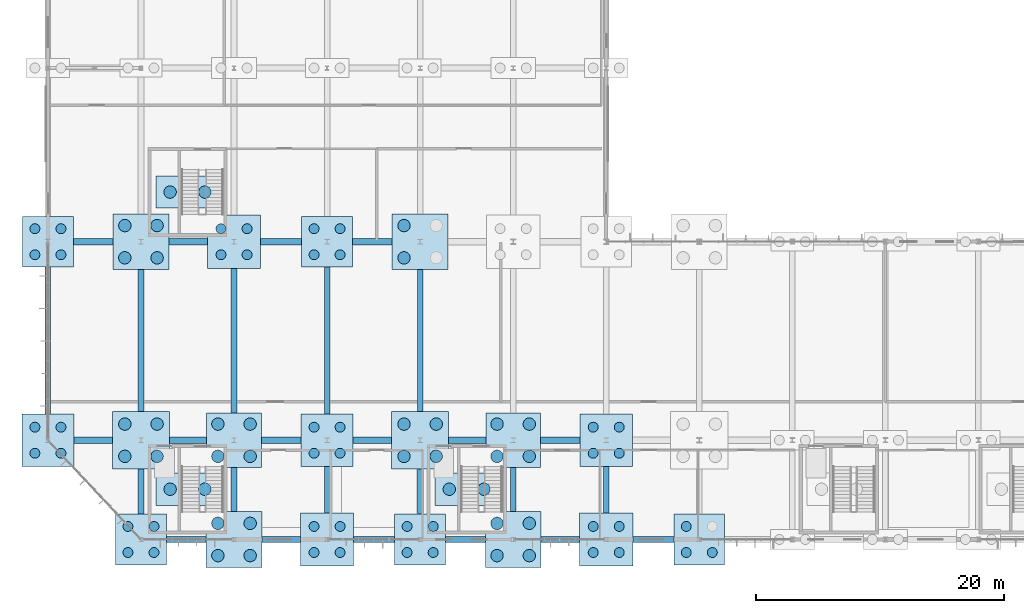
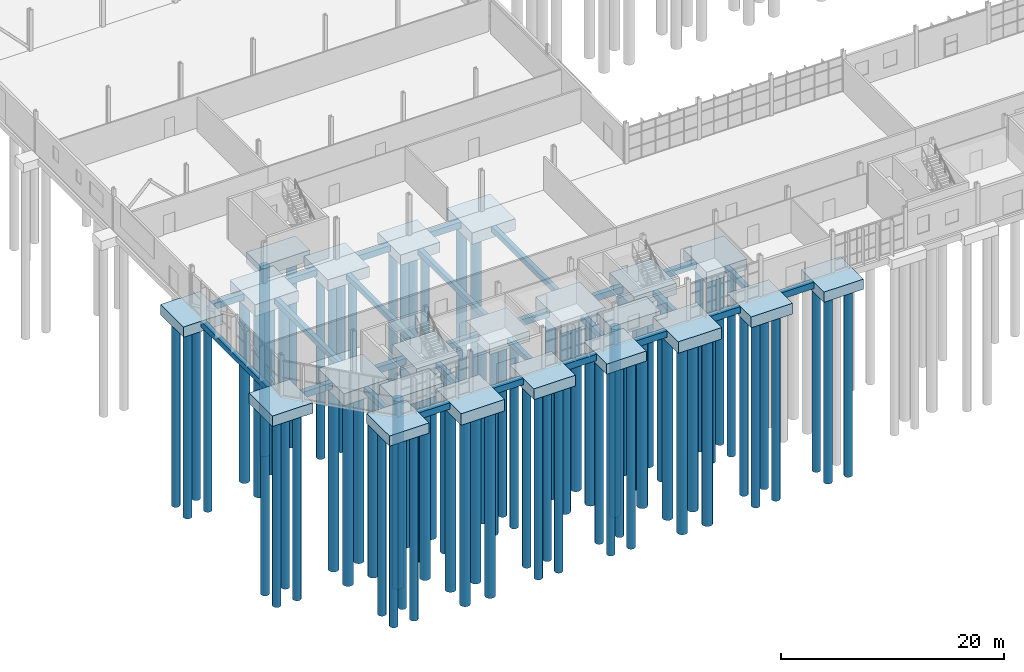
# One storey, part 1 of 136: 79 piles, 49 footings.
"""IFC4 building model written with IfcOpenShell, lengths in metres."""

from ifc_helpers import new_model, si_unit, direction, frame, origin, origin_2d, place, context, subcontext, project, spatial, rectangle, circle, extrude, material, material_profile, profile_set, type_object, element, save


model = new_model("IFC4")

# Units and contexts
model_context = context("Model", 3, precision=1e-05, world=origin(), true_north=direction((0.0, 1.0)))
body_context = subcontext(model_context, "Body", "Model", "MODEL_VIEW")
ifc_project = project(units=[si_unit("LENGTHUNIT", "METRE"), si_unit("AREAUNIT", "SQUARE_METRE"), si_unit("VOLUMEUNIT", "CUBIC_METRE"), si_unit("PLANEANGLEUNIT", "RADIAN"), si_unit("MASSUNIT", "GRAM", prefix="KILO")], contexts=[model_context])

# Site, building, storey
site_placement = place(None, origin())
site = spatial("IfcSite", under=ifc_project, at=site_placement, CompositionType="ELEMENT")
building_placement = place(site_placement, origin())
building = spatial("IfcBuilding", under=site, at=building_placement, Name="Solvenia Promenade Tram Depot", CompositionType="ELEMENT")
storey_placement = place(building_placement, origin())
storey = spatial("IfcBuildingStorey", under=building, at=storey_placement, Name="L00", CompositionType="ELEMENT", Elevation=0.0)

# Footings
ifc_material = material(Name="Concrete C28/35", Category="concrete")
footing_type_1 = type_object("IfcFootingType", Name="Cap-Core-5100x2600", PredefinedType="PAD_FOOTING", material=ifc_material)
for number, where, z_axis, x_axis, name in (
    (1, (11.25, 4.050048828125, -1.5), (0.0, 0.0, 1.0), (1.0, 0.0, 0.0), "Core Foundation Mat C1"),
    (2, (33.75, 4.050048828125, -1.5), (0.0, 0.0, 1.0), (1.0, 0.0, 0.0), "Core Foundation Mat C2"),
    (3, (11.25, 28.0, -1.5), (0.0, 0.0, 1.0), (1.0, 0.0, 0.0), "Core Foundation Mat C7"),
):
    element("IfcFooting", number, at=place(storey_placement, frame(where, z_axis=z_axis, x_axis=x_axis)), inside=storey, type_object=footing_type_1, Name=name, PredefinedType="PAD_FOOTING", context=body_context, shape_type="SweptSolid", body=[
        extrude(rectangle(XDim=5.10009765625, YDim=2.60009765625, at=origin_2d()), origin(), (0.0, 0.0, 1.0), 1.199951171875),
    ])
footing_type_2 = type_object("IfcFootingType", Name="Cap-PC4-4100", PredefinedType="PILE_CAP", material=ifc_material)
for number, where, z_axis, x_axis, name in (
    (4, (0.0, 24.0, -1.420166015625), (0.0, 0.0, 1.0), (1.0, 0.0, 0.0), "Pile Cap CAP-002"),
    (5, (7.5, 0.0, -1.420166015625), (0.0, 0.0, 1.0), (1.0, 0.0, 0.0), "Pile Cap CAP-008"),
    (6, (22.5, 24.0, -1.420166015625), (0.0, 0.0, 1.0), (1.0, 0.0, 0.0), "Pile Cap CAP-026"),
    (7, (30.0, 0.0, -1.420166015625), (0.0, 0.0, 1.0), (1.0, 0.0, 0.0), "Pile Cap CAP-032"),
    (8, (52.5, 0.0, -1.420166015625), (0.0, 0.0, 1.0), (1.0, 0.0, 0.0), "Pile Cap CAP-056"),
):
    element("IfcFooting", number, at=place(storey_placement, frame(where, z_axis=z_axis, x_axis=x_axis)), inside=storey, type_object=footing_type_2, Name=name, PredefinedType="PILE_CAP", context=body_context, shape_type="SweptSolid", body=[
        extrude(rectangle(XDim=4.10009765625, YDim=4.10009765625, at=origin_2d()), origin(), (0.0, 0.0, 1.0), 1.1201171875),
    ])
footing_type_3 = type_object("IfcFootingType", Name="Cap-PC4-4200", PredefinedType="PILE_CAP", material=ifc_material)
for number, where, z_axis, x_axis, name in (
    (9, (0.0, 8.0, -1.449951171875), (0.0, 0.0, 1.0), (1.0, 0.0, 0.0), "Pile Cap CAP-001"),
    (10, (22.5, 8.0, -1.449951171875), (0.0, 0.0, 1.0), (1.0, 0.0, 0.0), "Pile Cap CAP-025"),
    (11, (45.0, 8.0, -1.449951171875), (0.0, 0.0, 1.0), (1.0, 0.0, 0.0), "Pile Cap CAP-049"),
):
    element("IfcFooting", number, at=place(storey_placement, frame(where, z_axis=z_axis, x_axis=x_axis)), inside=storey, type_object=footing_type_3, Name=name, PredefinedType="PILE_CAP", context=body_context, shape_type="SweptSolid", body=[
        extrude(rectangle(XDim=4.199951171875, YDim=4.199951171875, at=origin_2d()), origin(), (0.0, 0.0, 1.0), 1.14990234375),
    ])
footing_type_4 = type_object("IfcFootingType", Name="Cap-PC4-4300", PredefinedType="PILE_CAP", material=ifc_material)
for number, where, z_axis, x_axis, name in (
    (12, (15.0, 24.0, -1.47998046875), (0.0, 0.0, 1.0), (1.0, 0.0, 0.0), "Pile Cap CAP-018"),
    (13, (22.5, 0.0, -1.47998046875), (0.0, 0.0, 1.0), (1.0, 0.0, 0.0), "Pile Cap CAP-024"),
    (14, (45.0, 0.0, -1.47998046875), (0.0, 0.0, 1.0), (1.0, 0.0, 0.0), "Pile Cap CAP-048"),
):
    element("IfcFooting", number, at=place(storey_placement, frame(where, z_axis=z_axis, x_axis=x_axis)), inside=storey, type_object=footing_type_4, Name=name, PredefinedType="PILE_CAP", context=body_context, shape_type="SweptSolid", body=[
        extrude(rectangle(XDim=4.300048828125, YDim=4.300048828125, at=origin_2d()), origin(), (0.0, 0.0, 1.0), 1.179931640625),
    ])
footing_type_5 = type_object("IfcFootingType", Name="Cap-PC4-4400", PredefinedType="PILE_CAP", material=ifc_material)
for number, where, z_axis, x_axis, name in (
    (15, (15.0, 8.0, -1.52001953125), (0.0, 0.0, 1.0), (1.0, 0.0, 0.0), "Pile Cap CAP-017"),
    (16, (37.5, 8.0, -1.52001953125), (0.0, 0.0, 1.0), (1.0, 0.0, 0.0), "Pile Cap CAP-041"),
):
    element("IfcFooting", number, at=place(storey_placement, frame(where, z_axis=z_axis, x_axis=x_axis)), inside=storey, type_object=footing_type_5, Name=name, PredefinedType="PILE_CAP", context=body_context, shape_type="SweptSolid", body=[
        extrude(rectangle(XDim=4.39990234375, YDim=4.39990234375, at=origin_2d()), origin(), (0.0, 0.0, 1.0), 1.219970703125),
    ])
footing_type_6 = type_object("IfcFootingType", Name="Cap-PC4-4500", PredefinedType="PILE_CAP", material=ifc_material)
for number, where, z_axis, x_axis, name in (
    (17, (7.5, 24.0, -1.56005859375), (0.0, 0.0, 1.0), (1.0, 0.0, 0.0), "Pile Cap CAP-010"),
    (18, (15.0, 0.0, -1.56005859375), (0.0, 0.0, 1.0), (1.0, 0.0, 0.0), "Pile Cap CAP-016"),
    (19, (30.0, 24.0, -1.56005859375), (0.0, 0.0, 1.0), (1.0, 0.0, 0.0), "Pile Cap CAP-034"),
    (20, (37.5, 0.0, -1.56005859375), (0.0, 0.0, 1.0), (1.0, 0.0, 0.0), "Pile Cap CAP-040"),
):
    element("IfcFooting", number, at=place(storey_placement, frame(where, z_axis=z_axis, x_axis=x_axis)), inside=storey, type_object=footing_type_6, Name=name, PredefinedType="PILE_CAP", context=body_context, shape_type="SweptSolid", body=[
        extrude(rectangle(XDim=4.5, YDim=4.5, at=origin_2d()), origin(), (0.0, 0.0, 1.0), 1.260009765625),
    ])
footing_type_7 = type_object("IfcFootingType", Name="Cap-PC4-4600", PredefinedType="PILE_CAP", material=ifc_material)
for number, where, z_axis, x_axis, name in (
    (21, (7.5, 8.0, -1.60009765625), (0.0, 0.0, 1.0), (1.0, 0.0, 0.0), "Pile Cap CAP-009"),
    (22, (30.0, 8.0, -1.60009765625), (0.0, 0.0, 1.0), (1.0, 0.0, 0.0), "Pile Cap CAP-033"),
):
    element("IfcFooting", number, at=place(storey_placement, frame(where, z_axis=z_axis, x_axis=x_axis)), inside=storey, type_object=footing_type_7, Name=name, PredefinedType="PILE_CAP", context=body_context, shape_type="SweptSolid", body=[
        extrude(rectangle(XDim=4.60009765625, YDim=4.60009765625, at=origin_2d()), origin(), (0.0, 0.0, 1.0), 1.300048828125),
    ])

# Piles
ifc_material_profile_1 = material_profile(ifc_material, circle(Radius=0.5, at=origin_2d()), Name="D1000", Category="concrete")
ifc_profile_set_1 = profile_set([ifc_material_profile_1], Name="Concrete C28/35")
pile_type_1 = type_object("IfcPileType", Name="Pile-D1000", PredefinedType="BORED", material=ifc_profile_set_1)
for number, where, z_axis, x_axis, name in (
    (23, (6.199951171875, 6.699951171875, -1.5), (0.0, 0.0, -1.0), (1.0, 0.0, 0.0), "Bored Pile PILE-009-1"),
    (24, (6.199951171875, 9.300048828125, -1.5), (0.0, 0.0, -1.0), (1.0, 0.0, 0.0), "Bored Pile PILE-009-2"),
    (25, (8.800048828125, 6.699951171875, -1.5), (0.0, 0.0, -1.0), (1.0, 0.0, 0.0), "Bored Pile PILE-009-3"),
    (26, (8.800048828125, 9.300048828125, -1.5), (0.0, 0.0, -1.0), (1.0, 0.0, 0.0), "Bored Pile PILE-009-4"),
):
    element("IfcPile", number, at=place(storey_placement, frame(where, z_axis=z_axis, x_axis=x_axis)), inside=storey, type_object=pile_type_1, Name=name, PredefinedType="BORED", context=body_context, shape_type="SweptSolid", body=[
        extrude(circle(Radius=0.5, at=origin_2d()), origin(), (0.0, 0.0, 1.0), 20.5),
    ])
for number, where, z_axis, x_axis, name in (
    (27, (6.199951171875, 22.699951171875, -1.4599609375), (0.0, 0.0, -1.0), (1.0, 0.0, 0.0), "Bored Pile PILE-010-1"),
    (28, (6.199951171875, 25.300048828125, -1.4599609375), (0.0, 0.0, -1.0), (1.0, 0.0, 0.0), "Bored Pile PILE-010-2"),
    (29, (8.800048828125, 22.699951171875, -1.4599609375), (0.0, 0.0, -1.0), (1.0, 0.0, 0.0), "Bored Pile PILE-010-3"),
    (30, (8.800048828125, 25.300048828125, -1.4599609375), (0.0, 0.0, -1.0), (1.0, 0.0, 0.0), "Bored Pile PILE-010-4"),
    (31, (13.699951171875, -1.300048828125, -1.4599609375), (0.0, 0.0, -1.0), (1.0, 0.0, 0.0), "Bored Pile PILE-016-1"),
    (32, (13.699951171875, 1.300048828125, -1.4599609375), (0.0, 0.0, -1.0), (1.0, 0.0, 0.0), "Bored Pile PILE-016-2"),
    (33, (16.300048828125, -1.300048828125, -1.4599609375), (0.0, 0.0, -1.0), (1.0, 0.0, 0.0), "Bored Pile PILE-016-3"),
    (34, (16.300048828125, 1.300048828125, -1.4599609375), (0.0, 0.0, -1.0), (1.0, 0.0, 0.0), "Bored Pile PILE-016-4"),
):
    element("IfcPile", number, at=place(storey_placement, frame(where, z_axis=z_axis, x_axis=x_axis)), inside=storey, type_object=pile_type_1, Name=name, PredefinedType="BORED", context=body_context, shape_type="SweptSolid", body=[
        extrude(circle(Radius=0.5, at=origin_2d()), origin(), (0.0, 0.0, 1.0), 20.5400390625),
    ])
for number, where, z_axis, x_axis, name in (
    (35, (13.699951171875, 6.699951171875, -1.419921875), (0.0, 0.0, -1.0), (1.0, 0.0, 0.0), "Bored Pile PILE-017-1"),
    (36, (13.699951171875, 9.300048828125, -1.419921875), (0.0, 0.0, -1.0), (1.0, 0.0, 0.0), "Bored Pile PILE-017-2"),
    (37, (16.300048828125, 6.699951171875, -1.419921875), (0.0, 0.0, -1.0), (1.0, 0.0, 0.0), "Bored Pile PILE-017-3"),
    (38, (16.300048828125, 9.300048828125, -1.419921875), (0.0, 0.0, -1.0), (1.0, 0.0, 0.0), "Bored Pile PILE-017-4"),
):
    element("IfcPile", number, at=place(storey_placement, frame(where, z_axis=z_axis, x_axis=x_axis)), inside=storey, type_object=pile_type_1, Name=name, PredefinedType="BORED", context=body_context, shape_type="SweptSolid", body=[
        extrude(circle(Radius=0.5, at=origin_2d()), origin(), (0.0, 0.0, 1.0), 20.580078125),
    ])
for number, where, z_axis, x_axis, name in (
    (39, (28.699951171875, 6.699951171875, -1.5), (0.0, 0.0, -1.0), (1.0, 0.0, 0.0), "Bored Pile PILE-033-1"),
    (40, (28.699951171875, 9.300048828125, -1.5), (0.0, 0.0, -1.0), (1.0, 0.0, 0.0), "Bored Pile PILE-033-2"),
    (41, (31.300048828125, 6.699951171875, -1.5), (0.0, 0.0, -1.0), (1.0, 0.0, 0.0), "Bored Pile PILE-033-3"),
    (42, (31.300048828125, 9.300048828125, -1.5), (0.0, 0.0, -1.0), (1.0, 0.0, 0.0), "Bored Pile PILE-033-4"),
):
    element("IfcPile", number, at=place(storey_placement, frame(where, z_axis=z_axis, x_axis=x_axis)), inside=storey, type_object=pile_type_1, Name=name, PredefinedType="BORED", context=body_context, shape_type="SweptSolid", body=[
        extrude(circle(Radius=0.5, at=origin_2d()), origin(), (0.0, 0.0, 1.0), 20.5),
    ])
for number, where, z_axis, x_axis, name in (
    (43, (28.699951171875, 22.699951171875, -1.4599609375), (0.0, 0.0, -1.0), (1.0, 0.0, 0.0), "Bored Pile PILE-034-1"),
    (44, (28.699951171875, 25.300048828125, -1.4599609375), (0.0, 0.0, -1.0), (1.0, 0.0, 0.0), "Bored Pile PILE-034-2"),
    (45, (36.199951171875, -1.300048828125, -1.4599609375), (0.0, 0.0, -1.0), (1.0, 0.0, 0.0), "Bored Pile PILE-040-1"),
    (46, (36.199951171875, 1.300048828125, -1.4599609375), (0.0, 0.0, -1.0), (1.0, 0.0, 0.0), "Bored Pile PILE-040-2"),
    (47, (38.800048828125, -1.300048828125, -1.4599609375), (0.0, 0.0, -1.0), (1.0, 0.0, 0.0), "Bored Pile PILE-040-3"),
    (48, (38.800048828125, 1.300048828125, -1.4599609375), (0.0, 0.0, -1.0), (1.0, 0.0, 0.0), "Bored Pile PILE-040-4"),
):
    element("IfcPile", number, at=place(storey_placement, frame(where, z_axis=z_axis, x_axis=x_axis)), inside=storey, type_object=pile_type_1, Name=name, PredefinedType="BORED", context=body_context, shape_type="SweptSolid", body=[
        extrude(circle(Radius=0.5, at=origin_2d()), origin(), (0.0, 0.0, 1.0), 20.5400390625),
    ])
for number, where, z_axis, x_axis, name in (
    (49, (36.199951171875, 6.699951171875, -1.419921875), (0.0, 0.0, -1.0), (1.0, 0.0, 0.0), "Bored Pile PILE-041-1"),
    (50, (36.199951171875, 9.300048828125, -1.419921875), (0.0, 0.0, -1.0), (1.0, 0.0, 0.0), "Bored Pile PILE-041-2"),
    (51, (38.800048828125, 6.699951171875, -1.419921875), (0.0, 0.0, -1.0), (1.0, 0.0, 0.0), "Bored Pile PILE-041-3"),
    (52, (38.800048828125, 9.300048828125, -1.419921875), (0.0, 0.0, -1.0), (1.0, 0.0, 0.0), "Bored Pile PILE-041-4"),
):
    element("IfcPile", number, at=place(storey_placement, frame(where, z_axis=z_axis, x_axis=x_axis)), inside=storey, type_object=pile_type_1, Name=name, PredefinedType="BORED", context=body_context, shape_type="SweptSolid", body=[
        extrude(circle(Radius=0.5, at=origin_2d()), origin(), (0.0, 0.0, 1.0), 20.580078125),
    ])
for number, where, z_axis, x_axis, name in (
    (53, (9.85009765625, 4.050048828125, -1.39990234375), (0.0, 0.0, -1.0), (1.0, 0.0, 0.0), "Core Bored Pile PILE-CORE-01-1"),
    (54, (12.64990234375, 4.050048828125, -1.39990234375), (0.0, 0.0, -1.0), (1.0, 0.0, 0.0), "Core Bored Pile PILE-CORE-01-2"),
    (55, (32.35009765625, 4.050048828125, -1.39990234375), (0.0, 0.0, -1.0), (1.0, 0.0, 0.0), "Core Bored Pile PILE-CORE-02-1"),
    (56, (35.14990234375, 4.050048828125, -1.39990234375), (0.0, 0.0, -1.0), (1.0, 0.0, 0.0), "Core Bored Pile PILE-CORE-02-2"),
    (57, (9.85009765625, 28.0, -1.39990234375), (0.0, 0.0, -1.0), (1.0, 0.0, 0.0), "Core Bored Pile PILE-CORE-07-1"),
    (58, (12.64990234375, 28.0, -1.39990234375), (0.0, 0.0, -1.0), (1.0, 0.0, 0.0), "Core Bored Pile PILE-CORE-07-2"),
):
    element("IfcPile", number, at=place(storey_placement, frame(where, z_axis=z_axis, x_axis=x_axis)), inside=storey, type_object=pile_type_1, Name=name, PredefinedType="BORED", context=body_context, shape_type="SweptSolid", body=[
        extrude(circle(Radius=0.5, at=origin_2d()), origin(), (0.0, 0.0, 1.0), 20.60009765625),
    ])
ifc_material_profile_2 = material_profile(ifc_material, circle(Radius=0.39990234375, at=origin_2d()), Name="D800", Category="concrete")
ifc_profile_set_2 = profile_set([ifc_material_profile_2], Name="Concrete C28/35")
pile_type_2 = type_object("IfcPileType", Name="Pile-D800", PredefinedType="BORED", material=ifc_profile_set_2)
for number, where, z_axis, x_axis, name in (
    (59, (-1.050048828125, 6.949951171875, -1.35009765625), (0.0, 0.0, -1.0), (1.0, 0.0, 0.0), "Bored Pile PILE-001-1"),
    (60, (-1.050048828125, 9.050048828125, -1.35009765625), (0.0, 0.0, -1.0), (1.0, 0.0, 0.0), "Bored Pile PILE-001-2"),
    (61, (1.050048828125, 6.949951171875, -1.35009765625), (0.0, 0.0, -1.0), (1.0, 0.0, 0.0), "Bored Pile PILE-001-3"),
    (62, (1.050048828125, 9.050048828125, -1.35009765625), (0.0, 0.0, -1.0), (1.0, 0.0, 0.0), "Bored Pile PILE-001-4"),
):
    element("IfcPile", number, at=place(storey_placement, frame(where, z_axis=z_axis, x_axis=x_axis)), inside=storey, type_object=pile_type_2, Name=name, PredefinedType="BORED", context=body_context, shape_type="SweptSolid", body=[
        extrude(circle(Radius=0.39990234375, at=origin_2d()), origin(), (0.0, 0.0, 1.0), 20.64990234375),
    ])
for number, where, z_axis, x_axis, name in (
    (63, (-1.050048828125, 22.949951171875, -1.320068359375), (0.0, 0.0, -1.0), (1.0, 0.0, 0.0), "Bored Pile PILE-002-1"),
    (64, (-1.050048828125, 25.050048828125, -1.320068359375), (0.0, 0.0, -1.0), (1.0, 0.0, 0.0), "Bored Pile PILE-002-2"),
    (65, (1.050048828125, 22.949951171875, -1.320068359375), (0.0, 0.0, -1.0), (1.0, 0.0, 0.0), "Bored Pile PILE-002-3"),
    (66, (1.050048828125, 25.050048828125, -1.320068359375), (0.0, 0.0, -1.0), (1.0, 0.0, 0.0), "Bored Pile PILE-002-4"),
    (67, (6.449951171875, -1.050048828125, -1.320068359375), (0.0, 0.0, -1.0), (1.0, 0.0, 0.0), "Bored Pile PILE-008-1"),
    (68, (6.449951171875, 1.050048828125, -1.320068359375), (0.0, 0.0, -1.0), (1.0, 0.0, 0.0), "Bored Pile PILE-008-2"),
    (69, (8.550048828125, -1.050048828125, -1.320068359375), (0.0, 0.0, -1.0), (1.0, 0.0, 0.0), "Bored Pile PILE-008-3"),
    (70, (8.550048828125, 1.050048828125, -1.320068359375), (0.0, 0.0, -1.0), (1.0, 0.0, 0.0), "Bored Pile PILE-008-4"),
):
    element("IfcPile", number, at=place(storey_placement, frame(where, z_axis=z_axis, x_axis=x_axis)), inside=storey, type_object=pile_type_2, Name=name, PredefinedType="BORED", context=body_context, shape_type="SweptSolid", body=[
        extrude(circle(Radius=0.39990234375, at=origin_2d()), origin(), (0.0, 0.0, 1.0), 20.679931640625),
    ])
for number, where, z_axis, x_axis, name in (
    (71, (13.949951171875, 22.949951171875, -1.3798828125), (0.0, 0.0, -1.0), (1.0, 0.0, 0.0), "Bored Pile PILE-018-1"),
    (72, (13.949951171875, 25.050048828125, -1.3798828125), (0.0, 0.0, -1.0), (1.0, 0.0, 0.0), "Bored Pile PILE-018-2"),
    (73, (16.050048828125, 22.949951171875, -1.3798828125), (0.0, 0.0, -1.0), (1.0, 0.0, 0.0), "Bored Pile PILE-018-3"),
    (74, (16.050048828125, 25.050048828125, -1.3798828125), (0.0, 0.0, -1.0), (1.0, 0.0, 0.0), "Bored Pile PILE-018-4"),
    (75, (21.449951171875, -1.050048828125, -1.3798828125), (0.0, 0.0, -1.0), (1.0, 0.0, 0.0), "Bored Pile PILE-024-1"),
    (76, (21.449951171875, 1.050048828125, -1.3798828125), (0.0, 0.0, -1.0), (1.0, 0.0, 0.0), "Bored Pile PILE-024-2"),
    (77, (23.550048828125, -1.050048828125, -1.3798828125), (0.0, 0.0, -1.0), (1.0, 0.0, 0.0), "Bored Pile PILE-024-3"),
    (78, (23.550048828125, 1.050048828125, -1.3798828125), (0.0, 0.0, -1.0), (1.0, 0.0, 0.0), "Bored Pile PILE-024-4"),
):
    element("IfcPile", number, at=place(storey_placement, frame(where, z_axis=z_axis, x_axis=x_axis)), inside=storey, type_object=pile_type_2, Name=name, PredefinedType="BORED", context=body_context, shape_type="SweptSolid", body=[
        extrude(circle(Radius=0.39990234375, at=origin_2d()), origin(), (0.0, 0.0, 1.0), 20.6201171875),
    ])
for number, where, z_axis, x_axis, name in (
    (79, (21.449951171875, 6.949951171875, -1.35009765625), (0.0, 0.0, -1.0), (1.0, 0.0, 0.0), "Bored Pile PILE-025-1"),
    (80, (21.449951171875, 9.050048828125, -1.35009765625), (0.0, 0.0, -1.0), (1.0, 0.0, 0.0), "Bored Pile PILE-025-2"),
    (81, (23.550048828125, 6.949951171875, -1.35009765625), (0.0, 0.0, -1.0), (1.0, 0.0, 0.0), "Bored Pile PILE-025-3"),
    (82, (23.550048828125, 9.050048828125, -1.35009765625), (0.0, 0.0, -1.0), (1.0, 0.0, 0.0), "Bored Pile PILE-025-4"),
):
    element("IfcPile", number, at=place(storey_placement, frame(where, z_axis=z_axis, x_axis=x_axis)), inside=storey, type_object=pile_type_2, Name=name, PredefinedType="BORED", context=body_context, shape_type="SweptSolid", body=[
        extrude(circle(Radius=0.39990234375, at=origin_2d()), origin(), (0.0, 0.0, 1.0), 20.64990234375),
    ])
for number, where, z_axis, x_axis, name in (
    (83, (21.449951171875, 22.949951171875, -1.320068359375), (0.0, 0.0, -1.0), (1.0, 0.0, 0.0), "Bored Pile PILE-026-1"),
    (84, (21.449951171875, 25.050048828125, -1.320068359375), (0.0, 0.0, -1.0), (1.0, 0.0, 0.0), "Bored Pile PILE-026-2"),
    (85, (23.550048828125, 22.949951171875, -1.320068359375), (0.0, 0.0, -1.0), (1.0, 0.0, 0.0), "Bored Pile PILE-026-3"),
    (86, (23.550048828125, 25.050048828125, -1.320068359375), (0.0, 0.0, -1.0), (1.0, 0.0, 0.0), "Bored Pile PILE-026-4"),
    (87, (28.949951171875, -1.050048828125, -1.320068359375), (0.0, 0.0, -1.0), (1.0, 0.0, 0.0), "Bored Pile PILE-032-1"),
    (88, (28.949951171875, 1.050048828125, -1.320068359375), (0.0, 0.0, -1.0), (1.0, 0.0, 0.0), "Bored Pile PILE-032-2"),
    (89, (31.050048828125, -1.050048828125, -1.320068359375), (0.0, 0.0, -1.0), (1.0, 0.0, 0.0), "Bored Pile PILE-032-3"),
    (90, (31.050048828125, 1.050048828125, -1.320068359375), (0.0, 0.0, -1.0), (1.0, 0.0, 0.0), "Bored Pile PILE-032-4"),
):
    element("IfcPile", number, at=place(storey_placement, frame(where, z_axis=z_axis, x_axis=x_axis)), inside=storey, type_object=pile_type_2, Name=name, PredefinedType="BORED", context=body_context, shape_type="SweptSolid", body=[
        extrude(circle(Radius=0.39990234375, at=origin_2d()), origin(), (0.0, 0.0, 1.0), 20.679931640625),
    ])
for number, where, z_axis, x_axis, name in (
    (91, (43.949951171875, -1.050048828125, -1.3798828125), (0.0, 0.0, -1.0), (1.0, 0.0, 0.0), "Bored Pile PILE-048-1"),
    (92, (43.949951171875, 1.050048828125, -1.3798828125), (0.0, 0.0, -1.0), (1.0, 0.0, 0.0), "Bored Pile PILE-048-2"),
    (93, (46.050048828125, -1.050048828125, -1.3798828125), (0.0, 0.0, -1.0), (1.0, 0.0, 0.0), "Bored Pile PILE-048-3"),
    (94, (46.050048828125, 1.050048828125, -1.3798828125), (0.0, 0.0, -1.0), (1.0, 0.0, 0.0), "Bored Pile PILE-048-4"),
):
    element("IfcPile", number, at=place(storey_placement, frame(where, z_axis=z_axis, x_axis=x_axis)), inside=storey, type_object=pile_type_2, Name=name, PredefinedType="BORED", context=body_context, shape_type="SweptSolid", body=[
        extrude(circle(Radius=0.39990234375, at=origin_2d()), origin(), (0.0, 0.0, 1.0), 20.6201171875),
    ])
for number, where, z_axis, x_axis, name in (
    (95, (43.949951171875, 6.949951171875, -1.35009765625), (0.0, 0.0, -1.0), (1.0, 0.0, 0.0), "Bored Pile PILE-049-1"),
    (96, (43.949951171875, 9.050048828125, -1.35009765625), (0.0, 0.0, -1.0), (1.0, 0.0, 0.0), "Bored Pile PILE-049-2"),
    (97, (46.050048828125, 6.949951171875, -1.35009765625), (0.0, 0.0, -1.0), (1.0, 0.0, 0.0), "Bored Pile PILE-049-3"),
    (98, (46.050048828125, 9.050048828125, -1.35009765625), (0.0, 0.0, -1.0), (1.0, 0.0, 0.0), "Bored Pile PILE-049-4"),
):
    element("IfcPile", number, at=place(storey_placement, frame(where, z_axis=z_axis, x_axis=x_axis)), inside=storey, type_object=pile_type_2, Name=name, PredefinedType="BORED", context=body_context, shape_type="SweptSolid", body=[
        extrude(circle(Radius=0.39990234375, at=origin_2d()), origin(), (0.0, 0.0, 1.0), 20.64990234375),
    ])
for number, where, z_axis, x_axis, name in (
    (99, (51.449951171875, -1.050048828125, -1.320068359375), (0.0, 0.0, -1.0), (1.0, 0.0, 0.0), "Bored Pile PILE-056-1"),
    (100, (51.449951171875, 1.050048828125, -1.320068359375), (0.0, 0.0, -1.0), (1.0, 0.0, 0.0), "Bored Pile PILE-056-2"),
    (101, (53.550048828125, -1.050048828125, -1.320068359375), (0.0, 0.0, -1.0), (1.0, 0.0, 0.0), "Bored Pile PILE-056-3"),
):
    element("IfcPile", number, at=place(storey_placement, frame(where, z_axis=z_axis, x_axis=x_axis)), inside=storey, type_object=pile_type_2, Name=name, PredefinedType="BORED", context=body_context, shape_type="SweptSolid", body=[
        extrude(circle(Radius=0.39990234375, at=origin_2d()), origin(), (0.0, 0.0, 1.0), 20.679931640625),
    ])

# Footings
footing_type_8 = type_object("IfcFootingType", Name="TieBeam-450x600", PredefinedType="FOOTING_BEAM", material=ifc_material)
footing_1_placement = place(storey_placement, frame((0.0, 16.02490234375, -0.900146484375), z_axis=(0.0, 0.0, 1.0), x_axis=(1.0, 0.0, 0.0)))
element("IfcFooting", 102, at=footing_1_placement, inside=storey, type_object=footing_type_8, Name="Seismic Tie Beam Y-138", PredefinedType="FOOTING_BEAM", context=body_context, shape_type="SweptSolid", body=[
    extrude(rectangle(XDim=0.449951171875, YDim=11.85009765625, at=origin_2d()), origin(), (0.0, 0.0, 1.0), 0.60009765625),
])
footing_2_placement = place(storey_placement, frame((7.5, 3.875, -0.900146484375), z_axis=(0.0, 0.0, 1.0), x_axis=(1.0, 0.0, 0.0)))
element("IfcFooting", 103, at=footing_2_placement, inside=storey, type_object=footing_type_8, Name="Seismic Tie Beam Y-143", PredefinedType="FOOTING_BEAM", context=body_context, shape_type="SweptSolid", body=[
    extrude(rectangle(XDim=0.449951171875, YDim=3.64990234375, at=origin_2d()), origin(), (0.0, 0.0, 1.0), 0.60009765625),
])
footing_3_placement = place(storey_placement, frame((7.5, 16.02490234375, -0.900146484375), z_axis=(0.0, 0.0, 1.0), x_axis=(1.0, 0.0, 0.0)))
element("IfcFooting", 104, at=footing_3_placement, inside=storey, type_object=footing_type_8, Name="Seismic Tie Beam Y-144", PredefinedType="FOOTING_BEAM", context=body_context, shape_type="SweptSolid", body=[
    extrude(rectangle(XDim=0.449951171875, YDim=11.449951171875, at=origin_2d()), origin(), (0.0, 0.0, 1.0), 0.60009765625),
])
footing_4_placement = place(storey_placement, frame((15.0, 4.02490234375, -0.900146484375), z_axis=(0.0, 0.0, 1.0), x_axis=(1.0, 0.0, 0.0)))
element("IfcFooting", 105, at=footing_4_placement, inside=storey, type_object=footing_type_8, Name="Seismic Tie Beam Y-149", PredefinedType="FOOTING_BEAM", context=body_context, shape_type="SweptSolid", body=[
    extrude(rectangle(XDim=0.449951171875, YDim=3.550048828125, at=origin_2d()), origin(), (0.0, 0.0, 1.0), 0.60009765625),
])
footing_5_placement = place(storey_placement, frame((15.0, 16.02490234375, -0.900146484375), z_axis=(0.0, 0.0, 1.0), x_axis=(1.0, 0.0, 0.0)))
element("IfcFooting", 106, at=footing_5_placement, inside=storey, type_object=footing_type_8, Name="Seismic Tie Beam Y-150", PredefinedType="FOOTING_BEAM", context=body_context, shape_type="SweptSolid", body=[
    extrude(rectangle(XDim=0.449951171875, YDim=11.64990234375, at=origin_2d()), origin(), (0.0, 0.0, 1.0), 0.60009765625),
])
footing_6_placement = place(storey_placement, frame((22.5, 4.02490234375, -0.900146484375), z_axis=(0.0, 0.0, 1.0), x_axis=(1.0, 0.0, 0.0)))
element("IfcFooting", 107, at=footing_6_placement, inside=storey, type_object=footing_type_8, Name="Seismic Tie Beam Y-155", PredefinedType="FOOTING_BEAM", context=body_context, shape_type="SweptSolid", body=[
    extrude(rectangle(XDim=0.449951171875, YDim=3.75, at=origin_2d()), origin(), (0.0, 0.0, 1.0), 0.60009765625),
])
footing_7_placement = place(storey_placement, frame((22.5, 16.02490234375, -0.900146484375), z_axis=(0.0, 0.0, 1.0), x_axis=(1.0, 0.0, 0.0)))
element("IfcFooting", 108, at=footing_7_placement, inside=storey, type_object=footing_type_8, Name="Seismic Tie Beam Y-156", PredefinedType="FOOTING_BEAM", context=body_context, shape_type="SweptSolid", body=[
    extrude(rectangle(XDim=0.449951171875, YDim=11.85009765625, at=origin_2d()), origin(), (0.0, 0.0, 1.0), 0.60009765625),
])
footing_8_placement = place(storey_placement, frame((30.0, 3.875, -0.900146484375), z_axis=(0.0, 0.0, 1.0), x_axis=(1.0, 0.0, 0.0)))
element("IfcFooting", 109, at=footing_8_placement, inside=storey, type_object=footing_type_8, Name="Seismic Tie Beam Y-161", PredefinedType="FOOTING_BEAM", context=body_context, shape_type="SweptSolid", body=[
    extrude(rectangle(XDim=0.449951171875, YDim=3.64990234375, at=origin_2d()), origin(), (0.0, 0.0, 1.0), 0.60009765625),
])
footing_9_placement = place(storey_placement, frame((30.0, 16.02490234375, -0.900146484375), z_axis=(0.0, 0.0, 1.0), x_axis=(1.0, 0.0, 0.0)))
element("IfcFooting", 110, at=footing_9_placement, inside=storey, type_object=footing_type_8, Name="Seismic Tie Beam Y-162", PredefinedType="FOOTING_BEAM", context=body_context, shape_type="SweptSolid", body=[
    extrude(rectangle(XDim=0.449951171875, YDim=11.449951171875, at=origin_2d()), origin(), (0.0, 0.0, 1.0), 0.60009765625),
])
footing_10_placement = place(storey_placement, frame((37.5, 4.02490234375, -0.900146484375), z_axis=(0.0, 0.0, 1.0), x_axis=(1.0, 0.0, 0.0)))
element("IfcFooting", 111, at=footing_10_placement, inside=storey, type_object=footing_type_8, Name="Seismic Tie Beam Y-167", PredefinedType="FOOTING_BEAM", context=body_context, shape_type="SweptSolid", body=[
    extrude(rectangle(XDim=0.449951171875, YDim=3.550048828125, at=origin_2d()), origin(), (0.0, 0.0, 1.0), 0.60009765625),
])
footing_11_placement = place(storey_placement, frame((45.0, 4.02490234375, -0.900146484375), z_axis=(0.0, 0.0, 1.0), x_axis=(1.0, 0.0, 0.0)))
element("IfcFooting", 112, at=footing_11_placement, inside=storey, type_object=footing_type_8, Name="Seismic Tie Beam Y-173", PredefinedType="FOOTING_BEAM", context=body_context, shape_type="SweptSolid", body=[
    extrude(rectangle(XDim=0.449951171875, YDim=3.75, at=origin_2d()), origin(), (0.0, 0.0, 1.0), 0.60009765625),
])
footing_type_9 = type_object("IfcFootingType", Name="TieBeam-500x700", PredefinedType="FOOTING_BEAM", material=ifc_material)
footing_12_placement = place(storey_placement, frame((11.14990234375, 0.0, -1.0), z_axis=(0.0, 0.0, 1.0), x_axis=(1.0, 0.0, 0.0)))
element("IfcFooting", 113, at=footing_12_placement, inside=storey, type_object=footing_type_9, Name="Seismic Tie Beam X-001", PredefinedType="FOOTING_BEAM", context=body_context, shape_type="SweptSolid", body=[
    extrude(rectangle(XDim=3.199951171875, YDim=0.5, at=origin_2d()), origin(), (0.0, 0.0, 1.0), 0.699951171875),
])
footing_13_placement = place(storey_placement, frame((18.800048828125, 0.0, -1.0), z_axis=(0.0, 0.0, 1.0), x_axis=(1.0, 0.0, 0.0)))
element("IfcFooting", 114, at=footing_13_placement, inside=storey, type_object=footing_type_9, Name="Seismic Tie Beam X-002", PredefinedType="FOOTING_BEAM", context=body_context, shape_type="SweptSolid", body=[
    extrude(rectangle(XDim=3.10009765625, YDim=0.5, at=origin_2d()), origin(), (0.0, 0.0, 1.0), 0.699951171875),
])
footing_14_placement = place(storey_placement, frame((26.300048828125, 0.0, -1.0), z_axis=(0.0, 0.0, 1.0), x_axis=(1.0, 0.0, 0.0)))
element("IfcFooting", 115, at=footing_14_placement, inside=storey, type_object=footing_type_9, Name="Seismic Tie Beam X-003", PredefinedType="FOOTING_BEAM", context=body_context, shape_type="SweptSolid", body=[
    extrude(rectangle(XDim=3.300048828125, YDim=0.5, at=origin_2d()), origin(), (0.0, 0.0, 1.0), 0.699951171875),
])
footing_15_placement = place(storey_placement, frame((33.64990234375, 0.0, -1.0), z_axis=(0.0, 0.0, 1.0), x_axis=(1.0, 0.0, 0.0)))
element("IfcFooting", 116, at=footing_15_placement, inside=storey, type_object=footing_type_9, Name="Seismic Tie Beam X-004", PredefinedType="FOOTING_BEAM", context=body_context, shape_type="SweptSolid", body=[
    extrude(rectangle(XDim=3.199951171875, YDim=0.5, at=origin_2d()), origin(), (0.0, 0.0, 1.0), 0.699951171875),
])
footing_16_placement = place(storey_placement, frame((41.300048828125, 0.0, -1.0), z_axis=(0.0, 0.0, 1.0), x_axis=(1.0, 0.0, 0.0)))
element("IfcFooting", 117, at=footing_16_placement, inside=storey, type_object=footing_type_9, Name="Seismic Tie Beam X-005", PredefinedType="FOOTING_BEAM", context=body_context, shape_type="SweptSolid", body=[
    extrude(rectangle(XDim=3.10009765625, YDim=0.5, at=origin_2d()), origin(), (0.0, 0.0, 1.0), 0.699951171875),
])
footing_17_placement = place(storey_placement, frame((48.800048828125, 0.0, -1.0), z_axis=(0.0, 0.0, 1.0), x_axis=(1.0, 0.0, 0.0)))
element("IfcFooting", 118, at=footing_17_placement, inside=storey, type_object=footing_type_9, Name="Seismic Tie Beam X-006", PredefinedType="FOOTING_BEAM", context=body_context, shape_type="SweptSolid", body=[
    extrude(rectangle(XDim=3.300048828125, YDim=0.5, at=origin_2d()), origin(), (0.0, 0.0, 1.0), 0.699951171875),
])
footing_18_placement = place(storey_placement, frame((3.64990234375, 8.0, -1.0), z_axis=(0.0, 0.0, 1.0), x_axis=(1.0, 0.0, 0.0)))
element("IfcFooting", 119, at=footing_18_placement, inside=storey, type_object=footing_type_9, Name="Seismic Tie Beam X-015", PredefinedType="FOOTING_BEAM", context=body_context, shape_type="SweptSolid", body=[
    extrude(rectangle(XDim=3.10009765625, YDim=0.5, at=origin_2d()), origin(), (0.0, 0.0, 1.0), 0.699951171875),
])
footing_19_placement = place(storey_placement, frame((11.300048828125, 8.0, -1.0), z_axis=(0.0, 0.0, 1.0), x_axis=(1.0, 0.0, 0.0)))
element("IfcFooting", 120, at=footing_19_placement, inside=storey, type_object=footing_type_9, Name="Seismic Tie Beam X-016", PredefinedType="FOOTING_BEAM", context=body_context, shape_type="SweptSolid", body=[
    extrude(rectangle(XDim=3.0, YDim=0.5, at=origin_2d()), origin(), (0.0, 0.0, 1.0), 0.699951171875),
])
footing_20_placement = place(storey_placement, frame((18.800048828125, 8.0, -1.0), z_axis=(0.0, 0.0, 1.0), x_axis=(1.0, 0.0, 0.0)))
element("IfcFooting", 121, at=footing_20_placement, inside=storey, type_object=footing_type_9, Name="Seismic Tie Beam X-017", PredefinedType="FOOTING_BEAM", context=body_context, shape_type="SweptSolid", body=[
    extrude(rectangle(XDim=3.199951171875, YDim=0.5, at=origin_2d()), origin(), (0.0, 0.0, 1.0), 0.699951171875),
])
footing_21_placement = place(storey_placement, frame((26.14990234375, 8.0, -1.0), z_axis=(0.0, 0.0, 1.0), x_axis=(1.0, 0.0, 0.0)))
element("IfcFooting", 122, at=footing_21_placement, inside=storey, type_object=footing_type_9, Name="Seismic Tie Beam X-018", PredefinedType="FOOTING_BEAM", context=body_context, shape_type="SweptSolid", body=[
    extrude(rectangle(XDim=3.10009765625, YDim=0.5, at=origin_2d()), origin(), (0.0, 0.0, 1.0), 0.699951171875),
])
footing_22_placement = place(storey_placement, frame((33.800048828125, 8.0, -1.0), z_axis=(0.0, 0.0, 1.0), x_axis=(1.0, 0.0, 0.0)))
element("IfcFooting", 123, at=footing_22_placement, inside=storey, type_object=footing_type_9, Name="Seismic Tie Beam X-019", PredefinedType="FOOTING_BEAM", context=body_context, shape_type="SweptSolid", body=[
    extrude(rectangle(XDim=3.0, YDim=0.5, at=origin_2d()), origin(), (0.0, 0.0, 1.0), 0.699951171875),
])
for number, where, z_axis, x_axis, name in (
    (124, (41.300048828125, 8.0, -1.0), (0.0, 0.0, 1.0), (1.0, 0.0, 0.0), "Seismic Tie Beam X-020"),
    (125, (3.64990234375, 24.0, -1.0), (0.0, 0.0, 1.0), (1.0, 0.0, 0.0), "Seismic Tie Beam X-032"),
):
    element("IfcFooting", number, at=place(storey_placement, frame(where, z_axis=z_axis, x_axis=x_axis)), inside=storey, type_object=footing_type_9, Name=name, PredefinedType="FOOTING_BEAM", context=body_context, shape_type="SweptSolid", body=[
        extrude(rectangle(XDim=3.199951171875, YDim=0.5, at=origin_2d()), origin(), (0.0, 0.0, 1.0), 0.699951171875),
    ])
footing_23_placement = place(storey_placement, frame((11.300048828125, 24.0, -1.0), z_axis=(0.0, 0.0, 1.0), x_axis=(1.0, 0.0, 0.0)))
element("IfcFooting", 126, at=footing_23_placement, inside=storey, type_object=footing_type_9, Name="Seismic Tie Beam X-033", PredefinedType="FOOTING_BEAM", context=body_context, shape_type="SweptSolid", body=[
    extrude(rectangle(XDim=3.10009765625, YDim=0.5, at=origin_2d()), origin(), (0.0, 0.0, 1.0), 0.699951171875),
])
footing_24_placement = place(storey_placement, frame((18.800048828125, 24.0, -1.0), z_axis=(0.0, 0.0, 1.0), x_axis=(1.0, 0.0, 0.0)))
element("IfcFooting", 127, at=footing_24_placement, inside=storey, type_object=footing_type_9, Name="Seismic Tie Beam X-034", PredefinedType="FOOTING_BEAM", context=body_context, shape_type="SweptSolid", body=[
    extrude(rectangle(XDim=3.300048828125, YDim=0.5, at=origin_2d()), origin(), (0.0, 0.0, 1.0), 0.699951171875),
])
footing_25_placement = place(storey_placement, frame((26.14990234375, 24.0, -1.0), z_axis=(0.0, 0.0, 1.0), x_axis=(1.0, 0.0, 0.0)))
element("IfcFooting", 128, at=footing_25_placement, inside=storey, type_object=footing_type_9, Name="Seismic Tie Beam X-035", PredefinedType="FOOTING_BEAM", context=body_context, shape_type="SweptSolid", body=[
    extrude(rectangle(XDim=3.199951171875, YDim=0.5, at=origin_2d()), origin(), (0.0, 0.0, 1.0), 0.699951171875),
])

save(model, "model.ifc")
